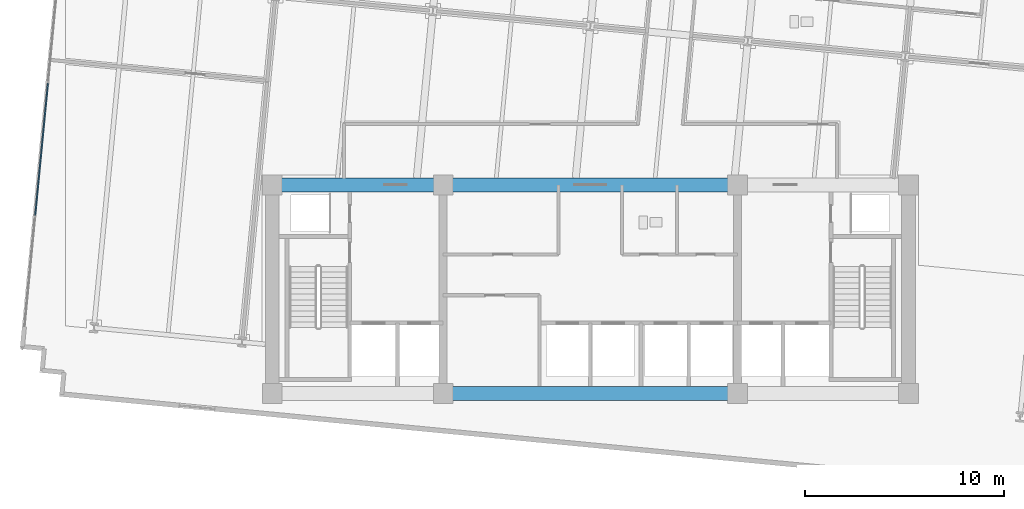
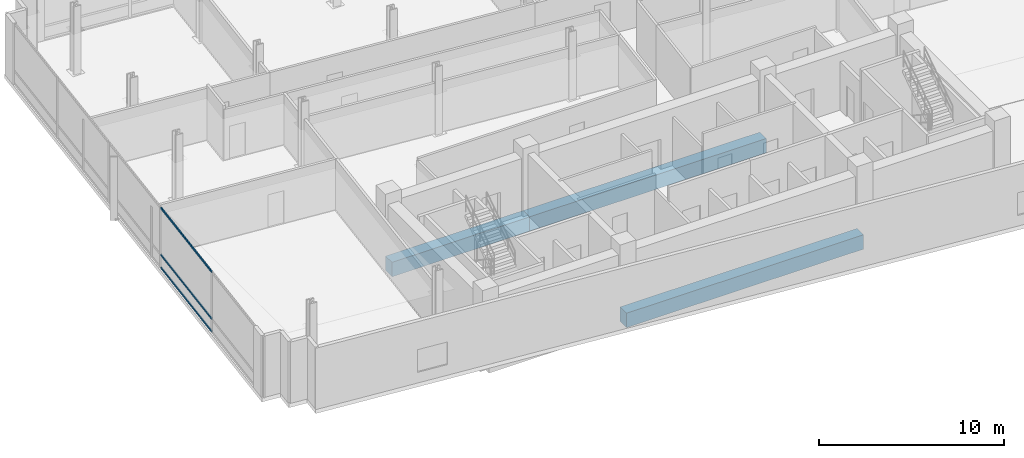
# One storey, part 3 of 17: 3 beams, 3 members, 1 element without a shape of its own.
"""IFC4 building model written with IfcOpenShell, lengths in metres."""

import ifcopenshell
import ifcopenshell.guid

model = None  # the IFC model being written
_history = None  # IfcOwnerHistory: only IFC2X3 demands one
_inside = {}  # id of a spatial element -> (the spatial element, [elements in it])
_under = {}  # id of a project, library or spatial element -> (it, [spatial elements below it])
_declared = {}  # id of a project -> (the project, [libraries it declares])
_typed = {}  # id of a type object -> (the type object, [elements of that type])
_made_of = {}  # id of a material, layer set ... -> (it, [elements and type objects made of it])


def new_model(schema):
    """Start an empty IFC model of exactly this schema.

    Asked for "IFC4X3", IfcOpenShell would pick the latest addendum, in which some entities
    have other attributes; the version numbers below select the first issue.
    IFC2X3 requires an IfcOwnerHistory on every rooted entity: one is made here for all.
    """
    global model, _history
    if schema == "IFC4X3":
        model = ifcopenshell.file(schema_version=(4, 3, 0, 0))
    else:
        model = ifcopenshell.file(schema=schema)
    _inside.clear()
    _under.clear()
    _declared.clear()
    _typed.clear()
    _made_of.clear()
    _history = None
    if model.schema == "IFC2X3":
        org = make("IfcOrganization", Name="unknown")
        user = make(
            "IfcPersonAndOrganization",
            ThePerson=make("IfcPerson", FamilyName="unknown"),
            TheOrganization=org,
        )
        app = make(
            "IfcApplication",
            ApplicationDeveloper=org,
            Version="unknown",
            ApplicationFullName="unknown",
            ApplicationIdentifier="unknown",
        )
        _history = make(
            "IfcOwnerHistory",
            OwningUser=user,
            OwningApplication=app,
            ChangeAction="ADDED",
            CreationDate=0,
        )
    return model


def make(cls, **values):
    """One entity of the class cls with the attributes given. An attribute that is None is left unset."""
    return model.create_entity(
        cls, **{name: value for name, value in values.items() if value is not None}
    )


def rooted(cls, **values):
    """An entity with a GlobalId (a new one), such as an element, a storey or a relation."""
    return make(cls, GlobalId=ifcopenshell.guid.new(), OwnerHistory=_history, **values)


def si_unit(unit_type, name, prefix=None):
    """IfcSIUnit, for example si_unit("LENGTHUNIT", "METRE", prefix="MILLI")."""
    return make("IfcSIUnit", UnitType=unit_type, Prefix=prefix, Name=name)


def assignment(units):
    """IfcUnitAssignment: the units of a project."""
    return None if units is None else make("IfcUnitAssignment", Units=units)


def point(xyz):
    """IfcCartesianPoint."""
    return None if xyz is None else make("IfcCartesianPoint", Coordinates=xyz)


def direction(xyz):
    """IfcDirection."""
    return None if xyz is None else make("IfcDirection", DirectionRatios=xyz)


def frame(location, z_axis=None, x_axis=None):
    """IfcAxis2Placement3D, a coordinate frame: its origin and axes. An axis left out is left unset."""
    return make(
        "IfcAxis2Placement3D",
        Location=point(location),
        Axis=direction(z_axis),
        RefDirection=direction(x_axis),
    )


def frame_2d(location, x_axis=None):
    """IfcAxis2Placement2D, a coordinate frame in the plane: its origin and x axis."""
    return make(
        "IfcAxis2Placement2D", Location=point(location), RefDirection=direction(x_axis)
    )


def origin():
    """The frame at (0, 0, 0) with its axes left unset."""
    return frame((0.0, 0.0, 0.0))


def origin_2d():
    """The frame at (0, 0) in the plane with its x axis left unset."""
    return frame_2d((0.0, 0.0))


def place(relative_to, where):
    """IfcLocalPlacement: puts the frame where relative to a parent placement (None: the world)."""
    return make(
        "IfcLocalPlacement", PlacementRelTo=relative_to, RelativePlacement=where
    )


def context(
    kind, dimensions, precision=None, world=None, true_north=None, identifier=None
):
    """IfcGeometricRepresentationContext, for example the 3D "Model" context."""
    return make(
        "IfcGeometricRepresentationContext",
        ContextIdentifier=identifier,
        ContextType=kind,
        CoordinateSpaceDimension=dimensions,
        Precision=precision,
        WorldCoordinateSystem=world,
        TrueNorth=true_north,
    )


def subcontext(parent, identifier, kind, view, scale=None):
    """IfcGeometricRepresentationSubContext, for example "Body" below "Model"."""
    return make(
        "IfcGeometricRepresentationSubContext",
        ContextIdentifier=identifier,
        ContextType=kind,
        ParentContext=parent,
        TargetScale=scale,
        TargetView=view,
    )


def project(units=None, contexts=None):
    """IfcProject with its units and contexts."""
    return rooted(
        "IfcProject",
        Name="project",
        RepresentationContexts=contexts,
        UnitsInContext=assignment(units),
    )


def spatial(cls, under=None, at=None, **own):
    """A site, building, storey or space (cls), placed at a placement, below another one or the project."""
    s = rooted(cls, ObjectPlacement=at, **own)
    if under is not None:
        _under.setdefault(under.id(), (under, []))[1].append(s)
    return s


def profile(cls, at=None, kind="AREA", **sizes):
    """A parametric profile (cls). Its sizes go by their IFC names, for example OverallWidth=200.0."""
    return make(cls, ProfileType=kind, Position=at, **sizes)


def rectangle(**sizes):
    """IfcRectangleProfileDef."""
    return profile("IfcRectangleProfileDef", **sizes)


def extrude(swept, where, along, depth):
    """IfcExtrudedAreaSolid: the profile swept, set in the frame where, extruded along a direction by depth."""
    return make(
        "IfcExtrudedAreaSolid",
        SweptArea=swept,
        Position=where,
        ExtrudedDirection=direction(along),
        Depth=depth,
    )


def shape(context_of_items, identifier, shape_type, items):
    """IfcShapeRepresentation: the items that make up one representation, for example the "Body"."""
    return make(
        "IfcShapeRepresentation",
        ContextOfItems=context_of_items,
        RepresentationIdentifier=identifier,
        RepresentationType=shape_type,
        Items=items,
    )


def material(Name=None, Category=None):
    """IfcMaterial."""
    return make("IfcMaterial", Name=Name, Category=Category)


def material_profile(
    of_material, cross_section, Name=None, Category=None, Priority=None
):
    """IfcMaterialProfile: a cross section and its material."""
    return make(
        "IfcMaterialProfile",
        Name=Name,
        Material=of_material,
        Profile=cross_section,
        Priority=Priority,
        Category=Category,
    )


def profile_set(profiles, Name=None, composite=None):
    """IfcMaterialProfileSet."""
    return make(
        "IfcMaterialProfileSet",
        Name=Name,
        MaterialProfiles=profiles,
        CompositeProfile=composite,
    )


def made_of(thing, what):
    """Note that an element or type object is made of a material, layer set ...; save() writes the relation."""
    if what is not None:
        _made_of.setdefault(what.id(), (what, []))[1].append(thing)
    return thing


def type_object(cls, material=None, **own):
    """A type object (cls), such as IfcWallType, which elements share."""
    return made_of(rooted(cls, **own), material)


def element(
    cls,
    number,
    at=None,
    inside=None,
    cuts=None,
    type_object=None,
    material=None,
    context=None,
    identifier="Body",
    shape_type=None,
    held_by="IfcProductDefinitionShape",
    body=None,
    shapes=None,
    **own,
):
    """One element of the class cls, such as IfcWall. Its Tag is "e" and its number.

    at: its placement. inside: the storey or other place that contains it. cuts: it is an
    opening in that element (IfcRelVoidsElement). A single representation is given by context,
    identifier, shape_type and body (its items); several are given by shapes. held_by: the class
    of the entity that holds the representations. save() writes the other relations.
    """
    e = rooted(cls, Tag="e%d" % number, ObjectPlacement=at, **own)
    if body is not None:
        shapes = [shape(context, identifier, shape_type, body)]
    if shapes is not None:
        e.Representation = make(held_by, Representations=shapes)
    if inside is not None:
        _inside.setdefault(inside.id(), (inside, []))[1].append(e)
    if cuts is not None:
        rooted(
            "IfcRelVoidsElement", RelatingBuildingElement=cuts, RelatedOpeningElement=e
        )
    if type_object is not None:
        _typed.setdefault(type_object.id(), (type_object, []))[1].append(e)
    return made_of(e, material)


def aggregate(whole, parts):
    """IfcRelAggregates: a whole, such as a stair, and the parts it consists of."""
    return rooted("IfcRelAggregates", RelatingObject=whole, RelatedObjects=parts)


def save(model, path):
    """Write the relations noted so far, then the file.

    IfcRelAggregates (storeys below a building ...), IfcRelContainedInSpatialStructure (elements
    in a storey), IfcRelDefinesByType, IfcRelAssociatesMaterial and IfcRelDeclares: one each for
    every whole, place, type object, material and project.
    """
    for whole, parts in _under.values():
        aggregate(whole, parts)
    for where, things in _inside.values():
        rooted(
            "IfcRelContainedInSpatialStructure",
            RelatedElements=things,
            RelatingStructure=where,
        )
    for kind, things in _typed.values():
        rooted("IfcRelDefinesByType", RelatedObjects=things, RelatingType=kind)
    for what, things in _made_of.values():
        rooted("IfcRelAssociatesMaterial", RelatedObjects=things, RelatingMaterial=what)
    for by, libraries in _declared.values():
        rooted("IfcRelDeclares", RelatingContext=by, RelatedDefinitions=libraries)
    model.write(path)


model = new_model("IFC4")

# Units and contexts
model_context = context("Model", 3, precision=1e-05, world=origin(), true_north=direction((0.0, 1.0)))
body_context = subcontext(model_context, "Body", "Model", "MODEL_VIEW")
ifc_project = project(units=[si_unit("LENGTHUNIT", "METRE"), si_unit("AREAUNIT", "SQUARE_METRE"), si_unit("VOLUMEUNIT", "CUBIC_METRE"), si_unit("PLANEANGLEUNIT", "RADIAN"), si_unit("MASSUNIT", "GRAM", prefix="KILO")], contexts=[model_context])

# Site, building, storey
site_placement = place(None, origin())
site = spatial("IfcSite", under=ifc_project, at=site_placement, CompositionType="ELEMENT")
building_placement = place(site_placement, origin())
building = spatial("IfcBuilding", under=site, at=building_placement, Name="Solmavex Isthmus Hotel", CompositionType="ELEMENT")
storey_placement = place(building_placement, frame((0.0, 0.0, 181.800048828125)))
storey = spatial("IfcBuildingStorey", under=building, at=storey_placement, Name="L49", CompositionType="ELEMENT", Elevation=181.800048828125)

# Beams
ifc_material_1 = material(Name="Concrete C60/75", Category="concrete")
ifc_material_profile_1 = material_profile(ifc_material_1, rectangle(XDim=0.699951171875, YDim=0.949951171875, at=origin_2d()), Name="RC700X950")
ifc_profile_set_1 = profile_set([ifc_material_profile_1], Name="Concrete C60/75")
beam_type = type_object("IfcBeamType", Name="BM-CB-700X950", PredefinedType="BEAM", material=ifc_profile_set_1)
beam_1_placement = place(storey_placement, frame((-7.39990234375, -13.0, -0.735107421875), z_axis=(1.0, 0.0, 0.0), x_axis=(0.0, 1.0, 0.0)))
element("IfcBeam", 1, at=beam_1_placement, inside=storey, type_object=beam_type, Name="Core Coupling Beam L49-CB2", PredefinedType="BEAM", context=body_context, shape_type="SweptSolid", body=[
    extrude(rectangle(XDim=0.699951171875, YDim=0.949951171875, at=origin_2d()), origin(), (0.0, 0.0, 1.0), 14.7998046875),
])
beam_2_placement = place(storey_placement, frame((-16.0, -2.5, -0.735107421875), z_axis=(1.0, 0.0, 0.0), x_axis=(0.0, 1.0, 0.0)))
element("IfcBeam", 2, at=beam_2_placement, inside=storey, type_object=beam_type, Name="Core Coupling Beam L49-CB4", PredefinedType="BEAM", context=body_context, shape_type="SweptSolid", body=[
    extrude(rectangle(XDim=0.699951171875, YDim=0.949951171875, at=origin_2d()), origin(), (0.0, 0.0, 1.0), 8.60009765625),
])
beam_3_placement = place(storey_placement, frame((-7.39990234375, -2.5, -0.735107421875), z_axis=(1.0, 0.0, 0.0), x_axis=(0.0, 1.0, 0.0)))
element("IfcBeam", 3, at=beam_3_placement, inside=storey, type_object=beam_type, Name="Core Coupling Beam L49-CB5", PredefinedType="BEAM", context=body_context, shape_type="SweptSolid", body=[
    extrude(rectangle(XDim=0.699951171875, YDim=0.949951171875, at=origin_2d()), origin(), (0.0, 0.0, 1.0), 14.7998046875),
])

# Curtain wall, members
ifc_material_2 = material(Name="Aluminium alloy 6063-T6", Category="aluminium")
curtain_wall_type = type_object("IfcCurtainWallType", Name="CW-SYS-05", PredefinedType="NOTDEFINED", material=ifc_material_2)
curtain_wall_placement = place(storey_placement, origin())
curtain_wall = element("IfcCurtainWall", 4, at=curtain_wall_placement, inside=storey, type_object=curtain_wall_type, Name="Stick Curtain Wall CWL-L49-W1", PredefinedType="NOTDEFINED")
ifc_material_profile_2 = material_profile(ifc_material_2, rectangle(XDim=0.06494140625, YDim=0.125, at=origin_2d()), Name="CWT-65X125")
ifc_profile_set_2 = profile_set([ifc_material_profile_2], Name="Aluminium alloy 6063-T6")
member_type = type_object("IfcMemberType", Name="CW-SYS-05-TRN", PredefinedType="USERDEFINED", material=ifc_profile_set_2)
member_1_placement = place(storey_placement, frame((-27.919189453125, -4.02490234375, 0.0625), z_axis=(0.095823552608, 0.995398335726, 0.0), x_axis=(-0.995398335726, 0.095823552608, 0.0)))
member_1 = element("IfcMember", 5, at=member_1_placement, type_object=member_type, Name="CW-05 transom 2.1", ObjectType="TRANSOM", PredefinedType="USERDEFINED", context=body_context, shape_type="SweptSolid", body=[
    extrude(rectangle(XDim=0.06494140625, YDim=0.125, at=origin_2d()), origin(), (0.0, 0.0, 1.0), 6.65478515625),
])
member_2_placement = place(storey_placement, frame((-27.919189453125, -4.02490234375, 0.89990234375), z_axis=(0.095823552608, 0.995398335726, 0.0), x_axis=(-0.995398335726, 0.095823552608, 0.0)))
member_2 = element("IfcMember", 6, at=member_2_placement, type_object=member_type, Name="CW-05 transom 2.2", ObjectType="TRANSOM", PredefinedType="USERDEFINED", context=body_context, shape_type="SweptSolid", body=[
    extrude(rectangle(XDim=0.06494140625, YDim=0.125, at=origin_2d()), origin(), (0.0, 0.0, 1.0), 6.65478515625),
])
member_3_placement = place(storey_placement, frame((-27.919189453125, -4.02490234375, 3.987548828125), z_axis=(0.095823552608, 0.995398335726, 0.0), x_axis=(-0.995398335726, 0.095823552608, 0.0)))
member_3 = element("IfcMember", 7, at=member_3_placement, type_object=member_type, Name="CW-05 transom 2.3", ObjectType="TRANSOM", PredefinedType="USERDEFINED", context=body_context, shape_type="SweptSolid", body=[
    extrude(rectangle(XDim=0.06494140625, YDim=0.125, at=origin_2d()), origin(), (0.0, 0.0, 1.0), 6.65478515625),
])
aggregate(curtain_wall, [member_1, member_2, member_3])

save(model, "model.ifc")
